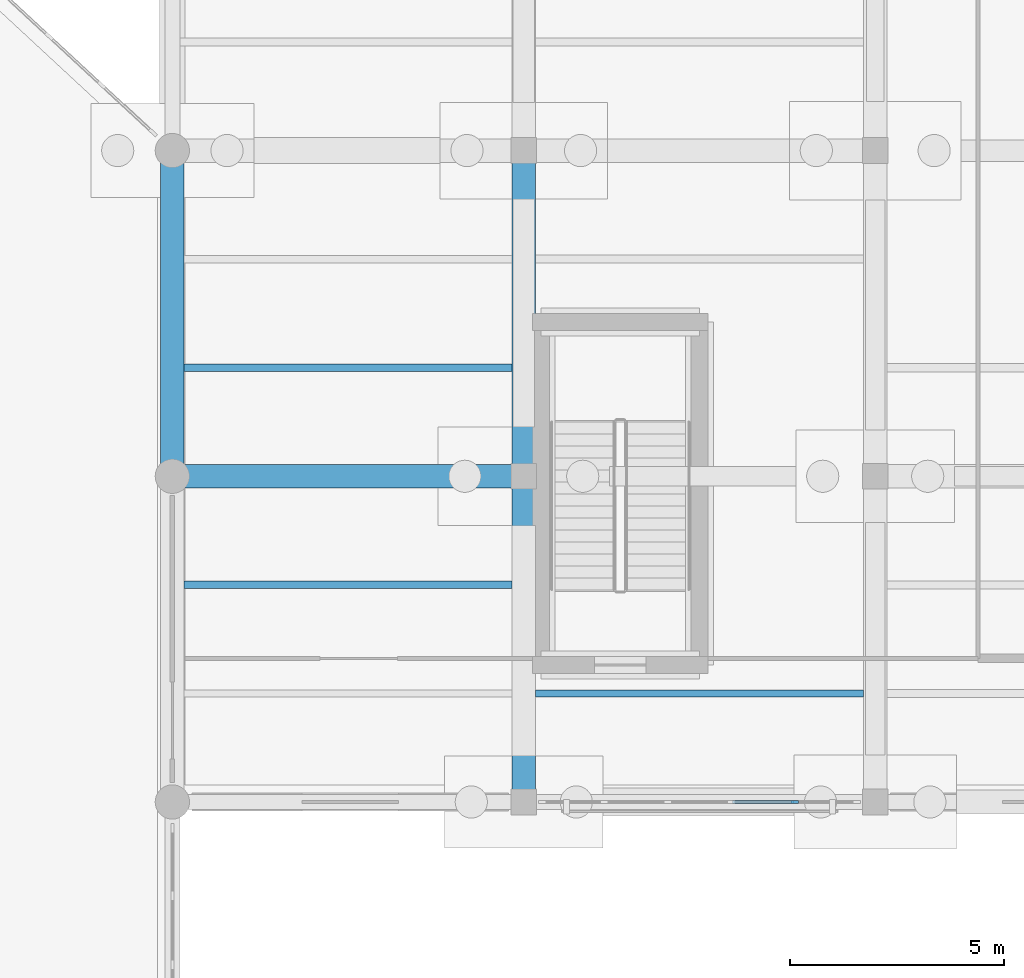
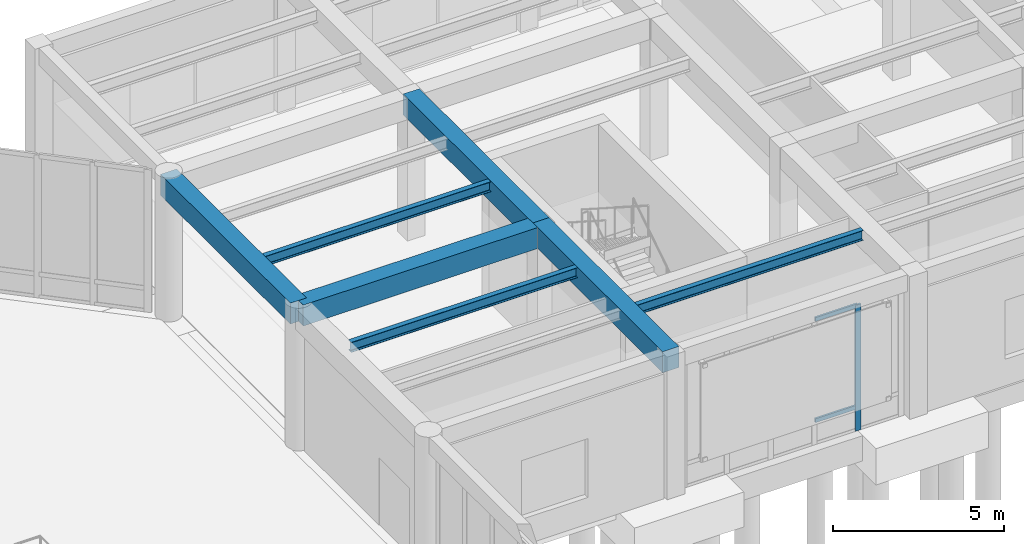
# One storey, part 23 of 64: 7 beams, 3 members, 1 element without a shape of its own.
"""IFC4 building model written with IfcOpenShell, lengths in metres."""

import ifcopenshell
import ifcopenshell.guid

model = None  # the IFC model being written
_history = None  # IfcOwnerHistory: only IFC2X3 demands one
_inside = {}  # id of a spatial element -> (the spatial element, [elements in it])
_under = {}  # id of a project, library or spatial element -> (it, [spatial elements below it])
_declared = {}  # id of a project -> (the project, [libraries it declares])
_typed = {}  # id of a type object -> (the type object, [elements of that type])
_made_of = {}  # id of a material, layer set ... -> (it, [elements and type objects made of it])


def new_model(schema):
    """Start an empty IFC model of exactly this schema.

    Asked for "IFC4X3", IfcOpenShell would pick the latest addendum, in which some entities
    have other attributes; the version numbers below select the first issue.
    IFC2X3 requires an IfcOwnerHistory on every rooted entity: one is made here for all.
    """
    global model, _history
    if schema == "IFC4X3":
        model = ifcopenshell.file(schema_version=(4, 3, 0, 0))
    else:
        model = ifcopenshell.file(schema=schema)
    _inside.clear()
    _under.clear()
    _declared.clear()
    _typed.clear()
    _made_of.clear()
    _history = None
    if model.schema == "IFC2X3":
        org = make("IfcOrganization", Name="unknown")
        user = make(
            "IfcPersonAndOrganization",
            ThePerson=make("IfcPerson", FamilyName="unknown"),
            TheOrganization=org,
        )
        app = make(
            "IfcApplication",
            ApplicationDeveloper=org,
            Version="unknown",
            ApplicationFullName="unknown",
            ApplicationIdentifier="unknown",
        )
        _history = make(
            "IfcOwnerHistory",
            OwningUser=user,
            OwningApplication=app,
            ChangeAction="ADDED",
            CreationDate=0,
        )
    return model


def make(cls, **values):
    """One entity of the class cls with the attributes given. An attribute that is None is left unset."""
    return model.create_entity(
        cls, **{name: value for name, value in values.items() if value is not None}
    )


def rooted(cls, **values):
    """An entity with a GlobalId (a new one), such as an element, a storey or a relation."""
    return make(cls, GlobalId=ifcopenshell.guid.new(), OwnerHistory=_history, **values)


def si_unit(unit_type, name, prefix=None):
    """IfcSIUnit, for example si_unit("LENGTHUNIT", "METRE", prefix="MILLI")."""
    return make("IfcSIUnit", UnitType=unit_type, Prefix=prefix, Name=name)


def assignment(units):
    """IfcUnitAssignment: the units of a project."""
    return None if units is None else make("IfcUnitAssignment", Units=units)


def point(xyz):
    """IfcCartesianPoint."""
    return None if xyz is None else make("IfcCartesianPoint", Coordinates=xyz)


def direction(xyz):
    """IfcDirection."""
    return None if xyz is None else make("IfcDirection", DirectionRatios=xyz)


def frame(location, z_axis=None, x_axis=None):
    """IfcAxis2Placement3D, a coordinate frame: its origin and axes. An axis left out is left unset."""
    return make(
        "IfcAxis2Placement3D",
        Location=point(location),
        Axis=direction(z_axis),
        RefDirection=direction(x_axis),
    )


def frame_2d(location, x_axis=None):
    """IfcAxis2Placement2D, a coordinate frame in the plane: its origin and x axis."""
    return make(
        "IfcAxis2Placement2D", Location=point(location), RefDirection=direction(x_axis)
    )


def origin():
    """The frame at (0, 0, 0) with its axes left unset."""
    return frame((0.0, 0.0, 0.0))


def origin_2d():
    """The frame at (0, 0) in the plane with its x axis left unset."""
    return frame_2d((0.0, 0.0))


def place(relative_to, where):
    """IfcLocalPlacement: puts the frame where relative to a parent placement (None: the world)."""
    return make(
        "IfcLocalPlacement", PlacementRelTo=relative_to, RelativePlacement=where
    )


def context(
    kind, dimensions, precision=None, world=None, true_north=None, identifier=None
):
    """IfcGeometricRepresentationContext, for example the 3D "Model" context."""
    return make(
        "IfcGeometricRepresentationContext",
        ContextIdentifier=identifier,
        ContextType=kind,
        CoordinateSpaceDimension=dimensions,
        Precision=precision,
        WorldCoordinateSystem=world,
        TrueNorth=true_north,
    )


def subcontext(parent, identifier, kind, view, scale=None):
    """IfcGeometricRepresentationSubContext, for example "Body" below "Model"."""
    return make(
        "IfcGeometricRepresentationSubContext",
        ContextIdentifier=identifier,
        ContextType=kind,
        ParentContext=parent,
        TargetScale=scale,
        TargetView=view,
    )


def project(units=None, contexts=None):
    """IfcProject with its units and contexts."""
    return rooted(
        "IfcProject",
        Name="project",
        RepresentationContexts=contexts,
        UnitsInContext=assignment(units),
    )


def spatial(cls, under=None, at=None, **own):
    """A site, building, storey or space (cls), placed at a placement, below another one or the project."""
    s = rooted(cls, ObjectPlacement=at, **own)
    if under is not None:
        _under.setdefault(under.id(), (under, []))[1].append(s)
    return s


def profile(cls, at=None, kind="AREA", **sizes):
    """A parametric profile (cls). Its sizes go by their IFC names, for example OverallWidth=200.0."""
    return make(cls, ProfileType=kind, Position=at, **sizes)


def rectangle(**sizes):
    """IfcRectangleProfileDef."""
    return profile("IfcRectangleProfileDef", **sizes)


def i_section(**sizes):
    """IfcIShapeProfileDef."""
    return profile("IfcIShapeProfileDef", **sizes)


def extrude(swept, where, along, depth):
    """IfcExtrudedAreaSolid: the profile swept, set in the frame where, extruded along a direction by depth."""
    return make(
        "IfcExtrudedAreaSolid",
        SweptArea=swept,
        Position=where,
        ExtrudedDirection=direction(along),
        Depth=depth,
    )


def shape(context_of_items, identifier, shape_type, items):
    """IfcShapeRepresentation: the items that make up one representation, for example the "Body"."""
    return make(
        "IfcShapeRepresentation",
        ContextOfItems=context_of_items,
        RepresentationIdentifier=identifier,
        RepresentationType=shape_type,
        Items=items,
    )


def material(Name=None, Category=None):
    """IfcMaterial."""
    return make("IfcMaterial", Name=Name, Category=Category)


def material_profile(
    of_material, cross_section, Name=None, Category=None, Priority=None
):
    """IfcMaterialProfile: a cross section and its material."""
    return make(
        "IfcMaterialProfile",
        Name=Name,
        Material=of_material,
        Profile=cross_section,
        Priority=Priority,
        Category=Category,
    )


def profile_set(profiles, Name=None, composite=None):
    """IfcMaterialProfileSet."""
    return make(
        "IfcMaterialProfileSet",
        Name=Name,
        MaterialProfiles=profiles,
        CompositeProfile=composite,
    )


def made_of(thing, what):
    """Note that an element or type object is made of a material, layer set ...; save() writes the relation."""
    if what is not None:
        _made_of.setdefault(what.id(), (what, []))[1].append(thing)
    return thing


def type_object(cls, material=None, **own):
    """A type object (cls), such as IfcWallType, which elements share."""
    return made_of(rooted(cls, **own), material)


def element(
    cls,
    number,
    at=None,
    inside=None,
    cuts=None,
    type_object=None,
    material=None,
    context=None,
    identifier="Body",
    shape_type=None,
    held_by="IfcProductDefinitionShape",
    body=None,
    shapes=None,
    **own,
):
    """One element of the class cls, such as IfcWall. Its Tag is "e" and its number.

    at: its placement. inside: the storey or other place that contains it. cuts: it is an
    opening in that element (IfcRelVoidsElement). A single representation is given by context,
    identifier, shape_type and body (its items); several are given by shapes. held_by: the class
    of the entity that holds the representations. save() writes the other relations.
    """
    e = rooted(cls, Tag="e%d" % number, ObjectPlacement=at, **own)
    if body is not None:
        shapes = [shape(context, identifier, shape_type, body)]
    if shapes is not None:
        e.Representation = make(held_by, Representations=shapes)
    if inside is not None:
        _inside.setdefault(inside.id(), (inside, []))[1].append(e)
    if cuts is not None:
        rooted(
            "IfcRelVoidsElement", RelatingBuildingElement=cuts, RelatedOpeningElement=e
        )
    if type_object is not None:
        _typed.setdefault(type_object.id(), (type_object, []))[1].append(e)
    return made_of(e, material)


def aggregate(whole, parts):
    """IfcRelAggregates: a whole, such as a stair, and the parts it consists of."""
    return rooted("IfcRelAggregates", RelatingObject=whole, RelatedObjects=parts)


def save(model, path):
    """Write the relations noted so far, then the file.

    IfcRelAggregates (storeys below a building ...), IfcRelContainedInSpatialStructure (elements
    in a storey), IfcRelDefinesByType, IfcRelAssociatesMaterial and IfcRelDeclares: one each for
    every whole, place, type object, material and project.
    """
    for whole, parts in _under.values():
        aggregate(whole, parts)
    for where, things in _inside.values():
        rooted(
            "IfcRelContainedInSpatialStructure",
            RelatedElements=things,
            RelatingStructure=where,
        )
    for kind, things in _typed.values():
        rooted("IfcRelDefinesByType", RelatedObjects=things, RelatingType=kind)
    for what, things in _made_of.values():
        rooted("IfcRelAssociatesMaterial", RelatedObjects=things, RelatingMaterial=what)
    for by, libraries in _declared.values():
        rooted("IfcRelDeclares", RelatingContext=by, RelatedDefinitions=libraries)
    model.write(path)


model = new_model("IFC4")

# Units and contexts
model_context = context("Model", 3, precision=1e-05, world=origin(), true_north=direction((0.0, 1.0)))
body_context = subcontext(model_context, "Body", "Model", "MODEL_VIEW")
ifc_project = project(units=[si_unit("LENGTHUNIT", "METRE"), si_unit("AREAUNIT", "SQUARE_METRE"), si_unit("VOLUMEUNIT", "CUBIC_METRE"), si_unit("PLANEANGLEUNIT", "RADIAN"), si_unit("MASSUNIT", "GRAM", prefix="KILO")], contexts=[model_context])

# Site, building, storey
site_placement = place(None, origin())
site = spatial("IfcSite", under=ifc_project, at=site_placement, CompositionType="ELEMENT")
building_placement = place(site_placement, origin())
building = spatial("IfcBuilding", under=site, at=building_placement, Name="Qandaris Square Conservatory and Botanical Centre", CompositionType="ELEMENT")
storey_placement = place(building_placement, origin())
storey = spatial("IfcBuildingStorey", under=building, at=storey_placement, Name="L00", CompositionType="ELEMENT", Elevation=0.0)

# Beams
ifc_material_1 = material(Name="Steel S355", Category="steel")
ifc_material_profile_1 = material_profile(ifc_material_1, i_section(OverallWidth=0.169921875, OverallDepth=0.360107421875, WebThickness=0.008056640625, FlangeThickness=0.0126953125, FilletRadius=0.01806640625, at=origin_2d()), Name="IPE 360")
ifc_profile_set_1 = profile_set([ifc_material_profile_1], Name="Steel S355")
beam_type_1 = type_object("IfcBeamType", Name="Composite Lab Joist IPE 360", PredefinedType="JOIST", material=ifc_profile_set_1)
for number, where, z_axis, x_axis, name in (
    (1, (57.47509765625, 97.666748046875, 4.909912109375), (1.0, 0.0, 0.0), (0.0, 1.0, 0.0), "L00 Composite Joist 0718"),
    (2, (57.47509765625, 102.7333984375, 4.909912109375), (1.0, 0.0, 0.0), (0.0, 1.0, 0.0), "L00 Composite Joist 0719"),
    (3, (65.675048828125, 95.13330078125, 4.909912109375), (1.0, 0.0, 0.0), (0.0, 1.0, 0.0), "L00 Composite Joist 0723"),
):
    element("IfcBeam", number, at=place(storey_placement, frame(where, z_axis=z_axis, x_axis=x_axis)), inside=storey, type_object=beam_type_1, Name=name, PredefinedType="JOIST", context=body_context, shape_type="SweptSolid", body=[
        extrude(i_section(OverallWidth=0.169921875, OverallDepth=0.360107421875, WebThickness=0.008056640625, FlangeThickness=0.0126953125, FilletRadius=0.01806640625, at=origin_2d()), origin(), (0.0, 0.0, 1.0), 7.64990234375),
    ])

# Curtain wall, members
ifc_material_2 = material(Name="Anodised Aluminium", Category="aluminium")
curtain_wall_type = type_object("IfcCurtainWallType", Name="Unitised Curtain Wall CW-5-740x450", PredefinedType="USERDEFINED", material=ifc_material_2)
curtain_wall_placement = place(storey_placement, origin())
curtain_wall = element("IfcCurtainWall", 4, at=curtain_wall_placement, inside=storey, type_object=curtain_wall_type, Name="Curtain Wall CW-V3B-L00-1-2", ObjectType="GLAZED CURTAIN WALL", PredefinedType="USERDEFINED")
ifc_material_profile_2 = material_profile(ifc_material_2, rectangle(XDim=0.06494140625, YDim=0.179931640625, at=origin_2d()), Name="ALU-MUL 65x180")
ifc_profile_set_2 = profile_set([ifc_material_profile_2], Name="Anodised Aluminium")
member_type_1 = type_object("IfcMemberType", Name="Curtain Wall Mullion 65x180", PredefinedType="MULLION", material=ifc_profile_set_2)
member_1_placement = place(storey_placement, frame((71.719970703125, 92.60009765625, 0.0), z_axis=(0.0, 0.0, 1.0), x_axis=(0.0, 1.0, 0.0)))
member_1 = element("IfcMember", 5, at=member_1_placement, type_object=member_type_1, Name="CW-5-740x450 mullion 5", PredefinedType="MULLION", context=body_context, shape_type="SweptSolid", body=[
    extrude(rectangle(XDim=0.06494140625, YDim=0.179931640625, at=origin_2d()), origin(), (0.0, 0.0, 1.0), 4.5),
])
ifc_material_profile_3 = material_profile(ifc_material_2, rectangle(XDim=0.06494140625, YDim=0.139892578125, at=origin_2d()), Name="ALU-TRN 65x140")
ifc_profile_set_3 = profile_set([ifc_material_profile_3], Name="Anodised Aluminium")
member_type_2 = type_object("IfcMemberType", Name="Curtain Wall Transom 65x140", PredefinedType="USERDEFINED", material=ifc_profile_set_3)
member_2_placement = place(storey_placement, frame((70.2724609375, 92.60009765625, 0.85009765625), z_axis=(1.0, 0.0, 0.0), x_axis=(0.0, 1.0, 0.0)))
member_2 = element("IfcMember", 6, at=member_2_placement, type_object=member_type_2, Name="CW-5-740x450 transom 4.2", ObjectType="TRANSOM", PredefinedType="USERDEFINED", context=body_context, shape_type="SweptSolid", body=[
    extrude(rectangle(XDim=0.06494140625, YDim=0.139892578125, at=origin_2d()), origin(), (0.0, 0.0, 1.0), 1.4150390625),
])
member_3_placement = place(storey_placement, frame((70.2724609375, 92.60009765625, 4.467529296875), z_axis=(1.0, 0.0, 0.0), x_axis=(0.0, 1.0, 0.0)))
member_3 = element("IfcMember", 7, at=member_3_placement, type_object=member_type_2, Name="CW-5-740x450 transom 4.3", ObjectType="TRANSOM", PredefinedType="USERDEFINED", context=body_context, shape_type="SweptSolid", body=[
    extrude(rectangle(XDim=0.06494140625, YDim=0.139892578125, at=origin_2d()), origin(), (0.0, 0.0, 1.0), 1.4150390625),
])
aggregate(curtain_wall, [member_1, member_2, member_3])

# Beams
ifc_material_3 = material(Name="Concrete C50/60", Category="concrete")
ifc_material_profile_4 = material_profile(ifc_material_3, rectangle(XDim=0.550048828125, YDim=0.75, at=origin_2d()), Name="RC-BM 550x750")
ifc_profile_set_4 = profile_set([ifc_material_profile_4], Name="Concrete C50/60")
beam_type_2 = type_object("IfcBeamType", Name="RC Plinth Girder 550x750", PredefinedType="BEAM", material=ifc_profile_set_4)
beam_1_placement = place(storey_placement, frame((57.199951171875, 100.199951171875, 4.72509765625), z_axis=(1.0, 0.0, 0.0), x_axis=(0.0, 1.0, 0.0)))
element("IfcBeam", 8, at=beam_1_placement, inside=storey, type_object=beam_type_2, Name="L00 Frame Beam 0458", PredefinedType="BEAM", context=body_context, shape_type="SweptSolid", body=[
    extrude(rectangle(XDim=0.550048828125, YDim=0.75, at=origin_2d()), origin(), (0.0, 0.0, 1.0), 8.199951171875),
])
beam_2_placement = place(storey_placement, frame((57.199951171875, 100.199951171875, 4.72509765625), z_axis=(0.0, 1.0, 0.0), x_axis=(-1.0, 0.0, 0.0)))
element("IfcBeam", 9, at=beam_2_placement, inside=storey, type_object=beam_type_2, Name="L00 Frame Beam 0557", PredefinedType="BEAM", context=body_context, shape_type="SweptSolid", body=[
    extrude(rectangle(XDim=0.550048828125, YDim=0.75, at=origin_2d()), origin(), (0.0, 0.0, 1.0), 7.60009765625),
])
beam_3_placement = place(storey_placement, frame((65.39990234375, 92.60009765625, 4.72509765625), z_axis=(0.0, 1.0, 0.0), x_axis=(-1.0, 0.0, 0.0)))
element("IfcBeam", 10, at=beam_3_placement, inside=storey, type_object=beam_type_2, Name="L00 Frame Beam 0560", PredefinedType="BEAM", context=body_context, shape_type="SweptSolid", body=[
    extrude(rectangle(XDim=0.550048828125, YDim=0.75, at=origin_2d()), origin(), (0.0, 0.0, 1.0), 7.599853515625),
])
beam_4_placement = place(storey_placement, frame((65.39990234375, 100.199951171875, 4.72509765625), z_axis=(0.0, 1.0, 0.0), x_axis=(-1.0, 0.0, 0.0)))
element("IfcBeam", 11, at=beam_4_placement, inside=storey, type_object=beam_type_2, Name="L00 Frame Beam 0561", PredefinedType="BEAM", context=body_context, shape_type="SweptSolid", body=[
    extrude(rectangle(XDim=0.550048828125, YDim=0.75, at=origin_2d()), origin(), (0.0, 0.0, 1.0), 7.60009765625),
])

save(model, "model.ifc")
